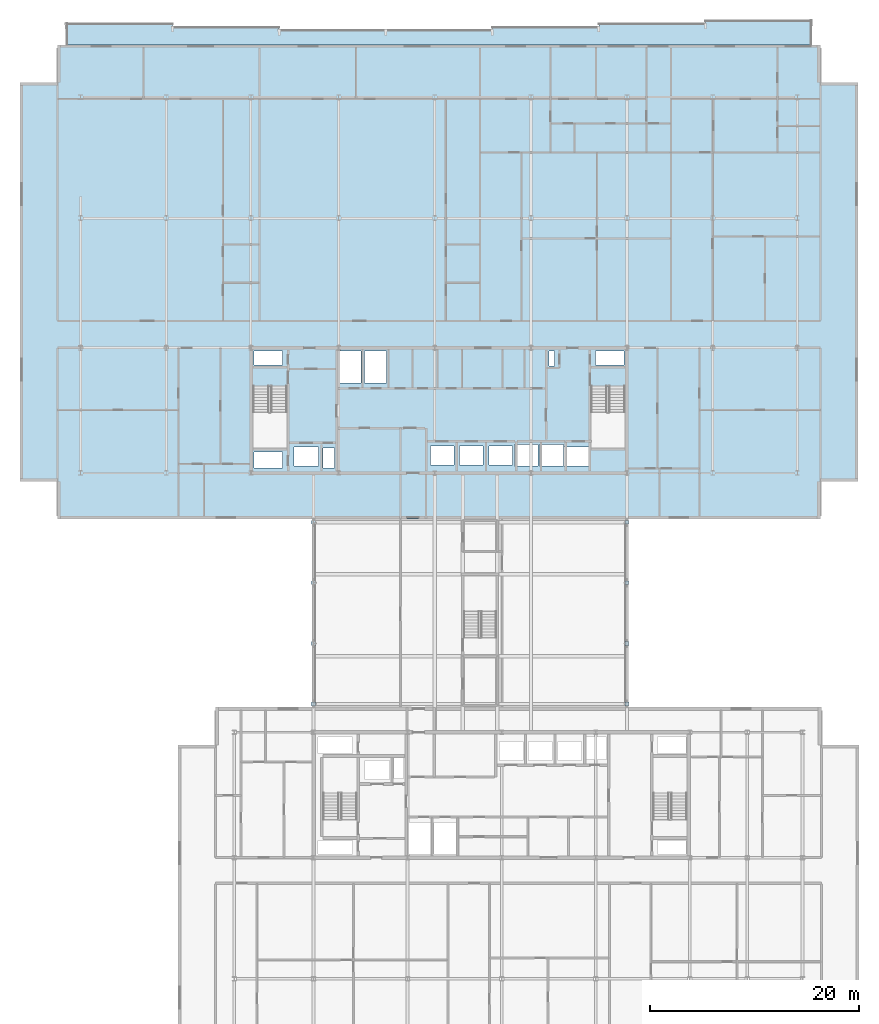
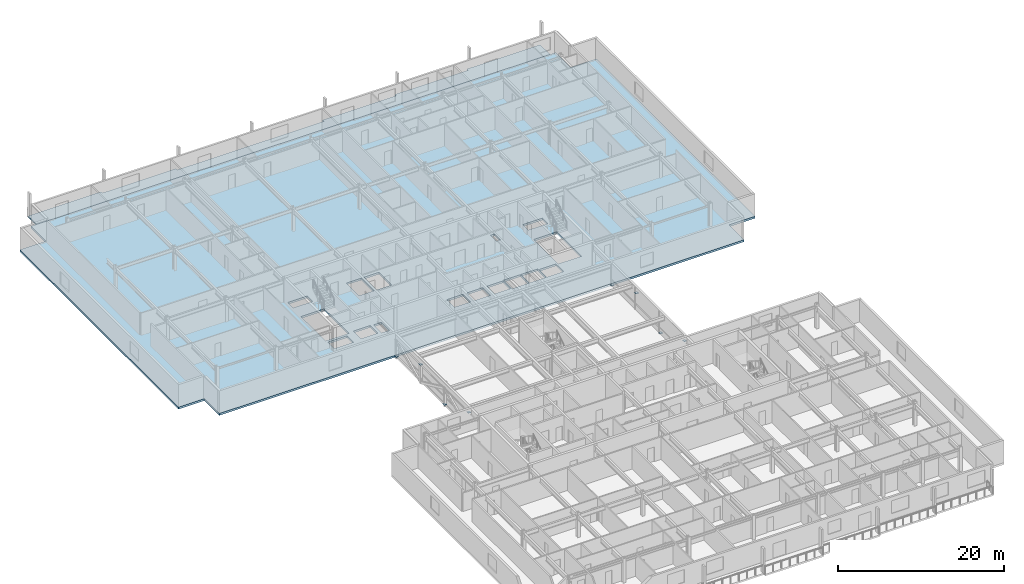
# One storey, part 16 of 36: 8 plates, 2 slabs.
"""IFC4 building model written with IfcOpenShell, lengths in metres."""

from ifc_helpers import new_model, si_unit, direction, frame, origin, origin_2d, place, context, subcontext, project, spatial, polyline, rectangle, outline, extrude, material, layer, layer_set, type_object, element, save


model = new_model("IFC4")

# Units and contexts
model_context = context("Model", 3, precision=1e-05, world=origin(), true_north=direction((0.0, 1.0)))
body_context = subcontext(model_context, "Body", "Model", "MODEL_VIEW")
ifc_project = project(units=[si_unit("LENGTHUNIT", "METRE"), si_unit("AREAUNIT", "SQUARE_METRE"), si_unit("VOLUMEUNIT", "CUBIC_METRE"), si_unit("PLANEANGLEUNIT", "RADIAN"), si_unit("MASSUNIT", "GRAM", prefix="KILO")], contexts=[model_context])

# Site, building, storey
site_placement = place(None, origin())
site = spatial("IfcSite", under=ifc_project, at=site_placement, CompositionType="ELEMENT")
building_placement = place(site_placement, origin())
building = spatial("IfcBuilding", under=site, at=building_placement, Name="Korimba Cascade Residences", CompositionType="ELEMENT")
storey_placement = place(building_placement, frame((0.0, 0.0, 139.300048828125)))
storey = spatial("IfcBuildingStorey", under=building, at=storey_placement, Name="L40", CompositionType="ELEMENT", Elevation=139.300048828125)

# Plates
ifc_material_1 = material(Name="Steel S460", Category="steel")
ifc_layer_1 = layer(ifc_material_1, 0.028076171875)
ifc_layer_set_1 = layer_set([ifc_layer_1], Name="Steel S460")
plate_type = type_object("IfcPlateType", Name="PLT-ENDCAP-28", PredefinedType="USERDEFINED", material=ifc_layer_set_1)
for number, where, z_axis, x_axis, name in (
    (1, (82.10009765625, 33.10009765625, 2.369140625), (0.0, 0.0, 1.0), (1.0, 0.0, 0.0), "L40 Brace Welded End Connection Plate 58"),
    (2, (82.10009765625, 38.89990234375, 0.005859375), (0.0, 0.0, 1.0), (1.0, 0.0, 0.0), "L40 Brace Welded End Connection Plate 59"),
    (3, (82.10009765625, 44.699951171875, 2.369140625), (0.0, 0.0, 1.0), (1.0, 0.0, 0.0), "L40 Brace Welded End Connection Plate 60"),
    (4, (82.10009765625, 50.5, 0.005859375), (0.0, 0.0, 1.0), (1.0, 0.0, 0.0), "L40 Brace Welded End Connection Plate 61"),
    (5, (112.10009765625, 33.10009765625, 2.369140625), (0.0, 0.0, 1.0), (1.0, 0.0, 0.0), "L40 Brace Welded End Connection Plate 62"),
    (6, (112.10009765625, 38.89990234375, 0.005859375), (0.0, 0.0, 1.0), (1.0, 0.0, 0.0), "L40 Brace Welded End Connection Plate 63"),
    (7, (112.10009765625, 44.699951171875, 2.369140625), (0.0, 0.0, 1.0), (1.0, 0.0, 0.0), "L40 Brace Welded End Connection Plate 64"),
    (8, (112.10009765625, 50.5, 0.005859375), (0.0, 0.0, 1.0), (1.0, 0.0, 0.0), "L40 Brace Welded End Connection Plate 65"),
):
    element("IfcPlate", number, at=place(storey_placement, frame(where, z_axis=z_axis, x_axis=x_axis)), inside=storey, type_object=plate_type, Name=name, ObjectType="CAP PLATE", PredefinedType="USERDEFINED", context=body_context, shape_type="SweptSolid", body=[
        extrude(rectangle(XDim=0.360107421875, YDim=0.360107421875, at=origin_2d()), origin(), (0.0, 0.0, 1.0), 0.028076171875),
    ])

# Slabs
ifc_material_2 = material(Name="Precast concrete C40/50", Category="concrete")
ifc_layer_2 = layer(ifc_material_2, 0.239990234375)
ifc_layer_set_2 = layer_set([ifc_layer_2], Name="Precast concrete C40/50")
slab_type_1 = type_object("IfcSlabType", Name="SLB-LOG-240", PredefinedType="FLOOR", material=ifc_layer_set_2)
slab_1_placement = place(storey_placement, frame((0.0, 0.0, -0.239990234375)))
element("IfcSlab", 9, at=slab_1_placement, inside=storey, type_object=slab_type_1, Name="L40 Tower 1 North Loggia Slab", PredefinedType="FLOOR", context=body_context, shape_type="SweptSolid", body=[
    extrude(outline(polyline([(58.39990234375, 96.199951171875), (129.800048828125, 96.199951171875), (129.800048828125, 98.550048828125), (119.60009765625, 98.550048828125), (119.60009765625, 98.25), (109.39990234375, 98.25), (109.39990234375, 97.949951171875), (99.199951171875, 97.949951171875), (99.199951171875, 97.64990234375), (78.800048828125, 97.64990234375), (78.800048828125, 97.949951171875), (68.60009765625, 97.949951171875), (68.60009765625, 98.25), (58.39990234375, 98.25), (58.39990234375, 96.199951171875)])), origin(), (0.0, 0.0, 1.0), 0.239990234375),
])
ifc_material_3 = material(Name="Concrete C50/60", Category="concrete")
ifc_layer_3 = layer(ifc_material_3, 0.280029296875)
ifc_layer_set_3 = layer_set([ifc_layer_3], Name="Concrete C50/60")
slab_type_2 = type_object("IfcSlabType", Name="SLB-TYP-280", PredefinedType="FLOOR", material=ifc_layer_set_3)
slab_2_placement = place(storey_placement, frame((0.0, 0.0, -0.2900390625)))
element("IfcSlab", 10, at=slab_2_placement, inside=storey, type_object=slab_type_2, Name="L40 Tower 1 Floor Slab", PredefinedType="FLOOR", context=body_context, shape_type="SweptSolid", body=[
    extrude(outline(polyline([(57.60009765625, 50.800048828125), (130.60009765625, 50.800048828125), (130.60009765625, 54.39990234375), (134.199951171875, 54.39990234375), (134.199951171875, 92.60009765625), (130.60009765625, 92.60009765625), (130.60009765625, 96.199951171875), (57.60009765625, 96.199951171875), (57.60009765625, 92.60009765625), (54.0, 92.60009765625), (54.0, 54.39990234375), (57.60009765625, 54.39990234375), (57.60009765625, 50.800048828125)]), holes=[polyline([(76.300048828125, 63.514892578125), (76.300048828125, 57.60009765625), (79.5400390625, 57.60009765625), (79.5400390625, 63.514892578125), (76.300048828125, 63.514892578125)]), polyline([(108.659912109375, 63.514892578125), (108.659912109375, 57.60009765625), (111.89990234375, 57.60009765625), (111.89990234375, 63.514892578125), (108.659912109375, 63.514892578125)]), polyline([(80.22998046875, 55.8798828125), (82.570068359375, 55.8798828125), (82.570068359375, 57.719970703125), (80.22998046875, 57.719970703125), (80.22998046875, 55.8798828125)]), polyline([(106.080078125, 55.8798828125), (108.419921875, 55.8798828125), (108.419921875, 57.719970703125), (106.080078125, 57.719970703125), (106.080078125, 55.8798828125)]), polyline([(93.280029296875, 55.97998046875), (95.52001953125, 55.97998046875), (95.52001953125, 57.820068359375), (93.280029296875, 57.820068359375), (93.280029296875, 55.97998046875)]), polyline([(96.080078125, 55.97998046875), (98.320068359375, 55.97998046875), (98.320068359375, 57.820068359375), (96.080078125, 57.820068359375), (96.080078125, 55.97998046875)]), polyline([(98.8798828125, 55.97998046875), (101.1201171875, 55.97998046875), (101.1201171875, 57.820068359375), (98.8798828125, 57.820068359375), (98.8798828125, 55.97998046875)]), polyline([(101.304931640625, 55.8798828125), (103.594970703125, 55.8798828125), (103.594970703125, 57.919921875), (101.304931640625, 57.919921875), (101.304931640625, 55.8798828125)]), polyline([(103.705078125, 55.8798828125), (105.9951171875, 55.8798828125), (105.9951171875, 57.919921875), (103.705078125, 57.919921875), (103.705078125, 55.8798828125)]), polyline([(82.97998046875, 55.679931640625), (84.080078125, 55.679931640625), (84.080078125, 57.6201171875), (82.97998046875, 57.6201171875), (82.97998046875, 55.679931640625)]), polyline([(76.39990234375, 65.56005859375), (79.10009765625, 65.56005859375), (79.10009765625, 66.8798828125), (76.39990234375, 66.8798828125), (76.39990234375, 65.56005859375)]), polyline([(76.39990234375, 55.679931640625), (79.10009765625, 55.679931640625), (79.10009765625, 57.239990234375), (76.39990234375, 57.239990234375), (76.39990234375, 55.679931640625)]), polyline([(84.530029296875, 63.820068359375), (86.6201171875, 63.820068359375), (86.6201171875, 66.8798828125), (84.530029296875, 66.8798828125), (84.530029296875, 63.820068359375)]), polyline([(86.97998046875, 63.820068359375), (89.070068359375, 63.820068359375), (89.070068359375, 66.8798828125), (86.97998046875, 66.8798828125), (86.97998046875, 63.820068359375)]), polyline([(104.6201171875, 65.4599609375), (105.179931640625, 65.4599609375), (105.179931640625, 66.8798828125), (104.6201171875, 66.8798828125), (104.6201171875, 65.4599609375)]), polyline([(109.080078125, 65.56005859375), (111.800048828125, 65.56005859375), (111.800048828125, 66.8798828125), (109.080078125, 66.8798828125), (109.080078125, 65.56005859375)])]), origin(), (0.0, 0.0, 1.0), 0.2900390625),
])

save(model, "model.ifc")
